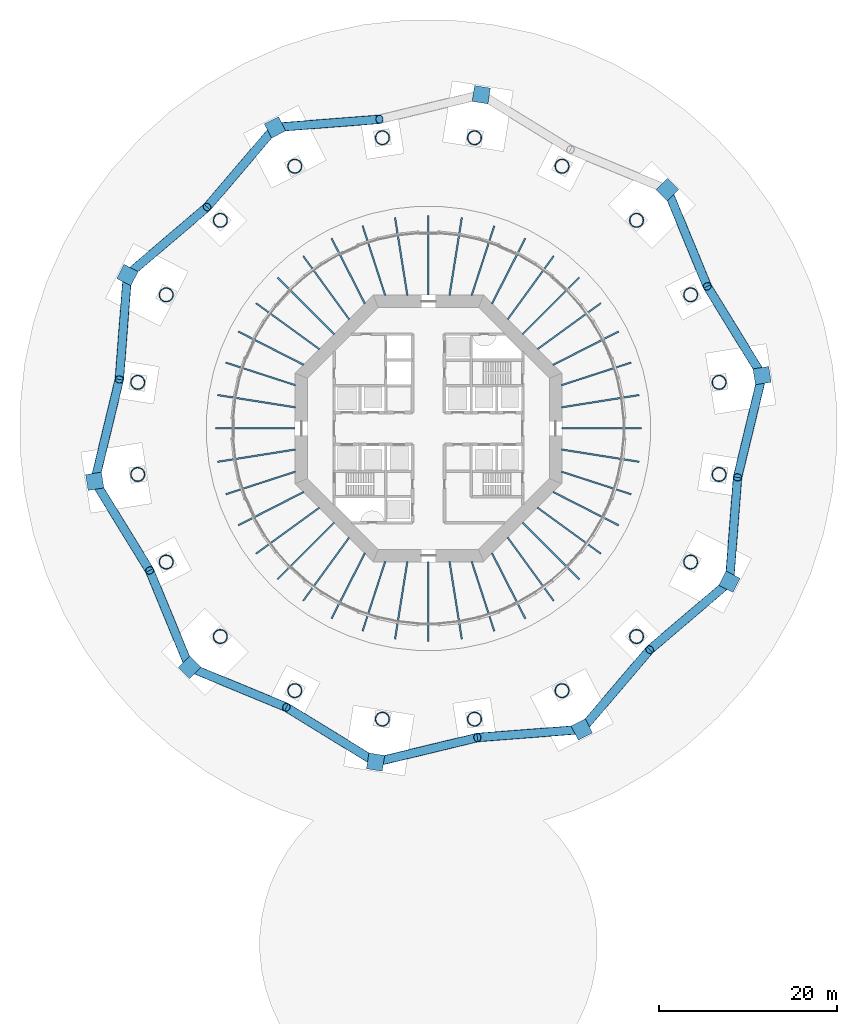
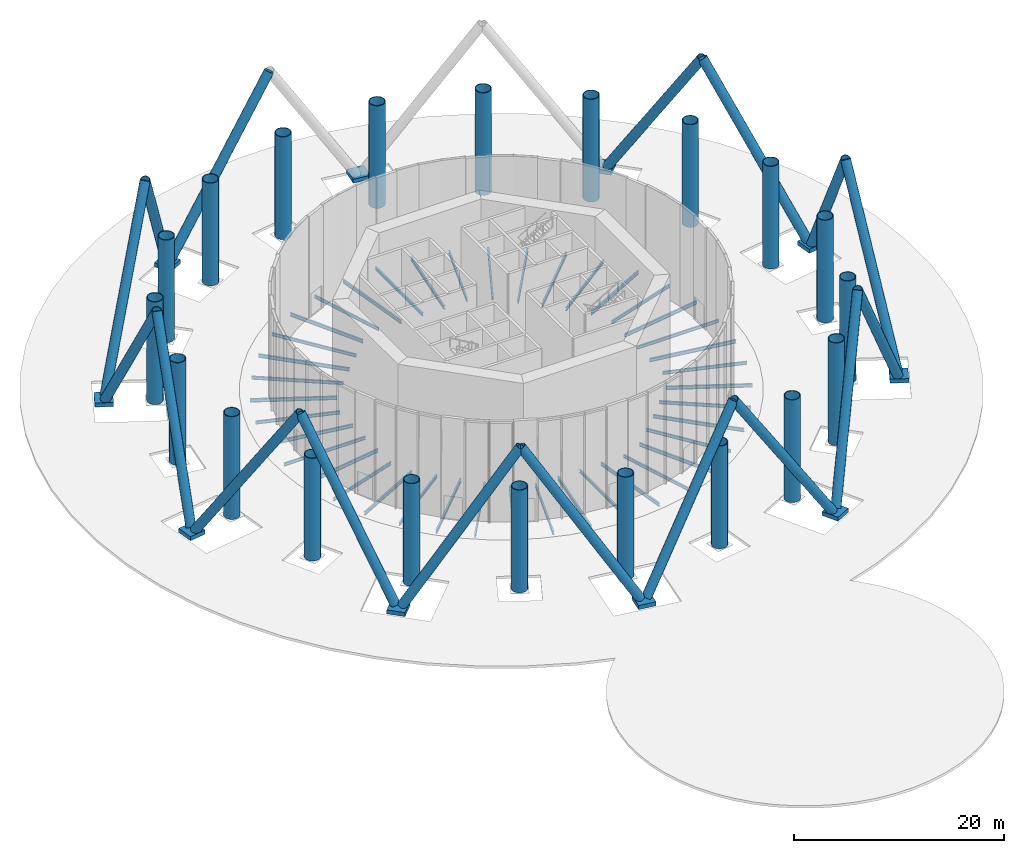
# One storey, part 1 of 12: 40 beams, 30 columns, 17 members.
"""IFC4 building model written with IfcOpenShell, lengths in metres."""

from ifc_helpers import new_model, si_unit, direction, frame, origin, origin_2d, place, context, subcontext, project, spatial, rectangle, circle, hollow_circle, i_section, extrude, material, material_profile, profile_set, type_object, element, save


model = new_model("IFC4")

# Units and contexts
model_context = context("Model", 3, precision=1e-05, world=origin(), true_north=direction((0.0, 1.0)))
body_context = subcontext(model_context, "Body", "Model", "MODEL_VIEW")
ifc_project = project(units=[si_unit("LENGTHUNIT", "METRE"), si_unit("AREAUNIT", "SQUARE_METRE"), si_unit("VOLUMEUNIT", "CUBIC_METRE"), si_unit("PLANEANGLEUNIT", "RADIAN"), si_unit("MASSUNIT", "GRAM", prefix="KILO")], contexts=[model_context])

# Site, building, storey
site_placement = place(None, origin())
site = spatial("IfcSite", under=ifc_project, at=site_placement, CompositionType="ELEMENT")
building_placement = place(site_placement, origin())
building = spatial("IfcBuilding", under=site, at=building_placement, Name="Entoto Ring Tower", CompositionType="ELEMENT")
storey_placement = place(building_placement, origin())
storey = spatial("IfcBuildingStorey", under=building, at=storey_placement, Name="L00", CompositionType="ELEMENT", Elevation=0.0)

# Columns
ifc_material_1 = material(Name="Steel S355", Category="steel")
ifc_material_profile_1 = material_profile(ifc_material_1, hollow_circle(Radius=0.800048828125, WallThickness=0.070068359375, at=origin_2d()), Name="CHS 1600 x 70")
ifc_material_2 = material(Name="Concrete C60/75", Category="concrete")
ifc_material_profile_2 = material_profile(ifc_material_2, circle(Radius=0.72998046875, at=origin_2d()), Name="Concrete C60/75 infill")
ifc_profile_set_1 = profile_set([ifc_material_profile_1, ifc_material_profile_2], Name="Steel S355")
column_type_1 = type_object("IfcColumnType", Name="Ring column 1600 x 70 concrete-filled tube", PredefinedType="COLUMN", material=ifc_profile_set_1)
for number, where, z_axis, x_axis, name in (
    (1, (122.6923828125, 85.177978515625, 0.0400390625), (0.0, 0.0, 1.0), (1.0, 0.0, 0.0), "RC1C R01"),
    (2, (119.492431640625, 95.027099609375, 0.0400390625), (0.0, 0.0, 1.0), (1.0, 0.0, 0.0), "RC1C R02"),
    (3, (113.4052734375, 103.4052734375, 0.0400390625), (0.0, 0.0, 1.0), (1.0, 0.0, 0.0), "RC1C R03"),
    (4, (105.027099609375, 109.492431640625, 0.0400390625), (0.0, 0.0, 1.0), (1.0, 0.0, 0.0), "RC1C R04"),
    (5, (95.177978515625, 112.6923828125, 0.0400390625), (0.0, 0.0, 1.0), (1.0, 0.0, 0.0), "RC1C R05"),
    (6, (84.822021484375, 112.6923828125, 0.0400390625), (0.0, 0.0, 1.0), (1.0, 0.0, 0.0), "RC1C R06"),
    (7, (74.972900390625, 109.492431640625, 0.0400390625), (0.0, 0.0, 1.0), (1.0, 0.0, 0.0), "RC1C R07"),
    (8, (66.5947265625, 103.4052734375, 0.0400390625), (0.0, 0.0, 1.0), (1.0, 0.0, 0.0), "RC1C R08"),
    (9, (60.507568359375, 95.027099609375, 0.0400390625), (0.0, 0.0, 1.0), (1.0, 0.0, 0.0), "RC1C R09"),
    (10, (57.3076171875, 85.177978515625, 0.0400390625), (0.0, 0.0, 1.0), (1.0, 0.0, 0.0), "RC1C R10"),
    (11, (57.3076171875, 74.822021484375, 0.0400390625), (0.0, 0.0, 1.0), (1.0, 0.0, 0.0), "RC1C R11"),
    (12, (60.507568359375, 64.972900390625, 0.0400390625), (0.0, 0.0, 1.0), (1.0, 0.0, 0.0), "RC1C R12"),
    (13, (66.5947265625, 56.5947265625, 0.0400390625), (0.0, 0.0, 1.0), (1.0, 0.0, 0.0), "RC1C R13"),
    (14, (74.972900390625, 50.507568359375, 0.0400390625), (0.0, 0.0, 1.0), (1.0, 0.0, 0.0), "RC1C R14"),
    (15, (84.822021484375, 47.3076171875, 0.0400390625), (0.0, 0.0, 1.0), (1.0, 0.0, 0.0), "RC1C R15"),
    (16, (95.177978515625, 47.3076171875, 0.0400390625), (0.0, 0.0, 1.0), (1.0, 0.0, 0.0), "RC1C R16"),
    (17, (105.027099609375, 50.507568359375, 0.0400390625), (0.0, 0.0, 1.0), (1.0, 0.0, 0.0), "RC1C R17"),
    (18, (113.4052734375, 56.5947265625, 0.0400390625), (0.0, 0.0, 1.0), (1.0, 0.0, 0.0), "RC1C R18"),
    (19, (119.492431640625, 64.972900390625, 0.0400390625), (0.0, 0.0, 1.0), (1.0, 0.0, 0.0), "RC1C R19"),
    (20, (122.6923828125, 74.822021484375, 0.0400390625), (0.0, 0.0, 1.0), (1.0, 0.0, 0.0), "RC1C R20"),
):
    element("IfcColumn", number, at=place(storey_placement, frame(where, z_axis=z_axis, x_axis=x_axis)), inside=storey, type_object=column_type_1, Name=name, PredefinedType="COLUMN", context=body_context, shape_type="SweptSolid", body=[
        extrude(hollow_circle(Radius=0.800048828125, WallThickness=0.070068359375, at=origin_2d()), origin(), (0.0, 0.0, 1.0), 11.9599609375),
    ])
ifc_material_3 = material(Name="Concrete C40/50", Category="concrete")
ifc_material_profile_3 = material_profile(ifc_material_3, rectangle(XDim=1.800048828125, YDim=1.800048828125, at=origin_2d()), Name="Stilt plinth 1800 x 1800 mm concrete")
ifc_profile_set_2 = profile_set([ifc_material_profile_3], Name="Concrete C40/50")
column_type_2 = type_object("IfcColumnType", Name="Stilt plinth 1800 x 1800 mm concrete", PredefinedType="COLUMN", material=ifc_profile_set_2)
for number, where, z_axis, x_axis, name in (
    (21, (127.5322265625, 85.944580078125, 0.0400390625), (0.0, 0.0, 1.0), (-0.15643446504, 0.987688340595, 0.0), "STILT PLINTH 01"),
    (22, (116.8701171875, 106.8701171875, 0.0400390625), (0.0, 0.0, 1.0), (-0.707106781187, 0.707106781187, 0.0), "STILT PLINTH 02"),
    (23, (95.944580078125, 117.5322265625, 0.0400390625), (0.0, 0.0, 1.0), (-0.987688340595, 0.15643446504, 0.0), "STILT PLINTH 03"),
    (24, (72.748291015625, 113.858154296875, 0.0400390625), (0.0, 0.0, 1.0), (-0.891006524188, -0.45399049974, 0.0), "STILT PLINTH 04"),
    (25, (56.141845703125, 97.251708984375, 0.0400390625), (0.0, 0.0, 1.0), (-0.45399049974, -0.891006524188, 0.0), "STILT PLINTH 05"),
    (26, (52.4677734375, 74.055419921875, 0.0400390625), (0.0, 0.0, 1.0), (0.15643446504, -0.987688340595, 0.0), "STILT PLINTH 06"),
    (27, (63.1298828125, 53.1298828125, 0.0400390625), (0.0, 0.0, 1.0), (0.707106781187, -0.707106781187, 0.0), "STILT PLINTH 07"),
    (28, (84.055419921875, 42.4677734375, 0.0400390625), (0.0, 0.0, 1.0), (0.987688340595, -0.15643446504, 0.0), "STILT PLINTH 08"),
    (29, (107.251708984375, 46.141845703125, 0.0400390625), (0.0, 0.0, 1.0), (0.891006524188, 0.45399049974, 0.0), "STILT PLINTH 09"),
    (30, (123.858154296875, 62.748291015625, 0.0400390625), (0.0, 0.0, 1.0), (0.45399049974, 0.891006524188, 0.0), "STILT PLINTH 10"),
):
    element("IfcColumn", number, at=place(storey_placement, frame(where, z_axis=z_axis, x_axis=x_axis)), inside=storey, type_object=column_type_2, Name=name, PredefinedType="COLUMN", context=body_context, shape_type="SweptSolid", body=[
        extrude(rectangle(XDim=1.800048828125, YDim=1.800048828125, at=origin_2d()), origin(), (0.0, 0.0, 1.0), 0.4599609375),
    ])

# Beams
ifc_material_4 = material(Name="Steel S355", Category="steel")
ifc_material_profile_4 = material_profile(ifc_material_4, i_section(OverallWidth=0.179931640625, OverallDepth=0.39990234375, WebThickness=0.008544921875, FlangeThickness=0.013427734375, FilletRadius=0.02099609375, at=origin_2d()), Name="IPE 400")
ifc_profile_set_3 = profile_set([ifc_material_profile_4], Name="Steel S355")
beam_type_1 = type_object("IfcBeamType", Name="Primary floor beam IPE 400", PredefinedType="BEAM", material=ifc_profile_set_3)
beam_1_placement = place(storey_placement, frame((104.966064453125, 82.370361328125, -0.35009765625), z_axis=(0.987688571989, 0.156433004068, 0.0), x_axis=(-0.156433004068, 0.987688571989, 0.0)))
element("IfcBeam", 31, at=beam_1_placement, inside=storey, type_object=beam_type_1, Name="Primary L00 R01", PredefinedType="BEAM", context=body_context, shape_type="SweptSolid", body=[
    extrude(i_section(OverallWidth=0.179931640625, OverallDepth=0.39990234375, WebThickness=0.008544921875, FlangeThickness=0.013427734375, FilletRadius=0.02099609375, at=origin_2d()), origin(), (0.0, 0.0, 1.0), 8.847412109375),
])
beam_2_placement = place(storey_placement, frame((104.009033203125, 87.137939453125, -0.35009765625), z_axis=(0.891009558245, 0.45398454502, 0.0), x_axis=(-0.45398454502, 0.891009558245, 0.0)))
element("IfcBeam", 32, at=beam_2_placement, inside=storey, type_object=beam_type_1, Name="Primary L00 R02", PredefinedType="BEAM", context=body_context, shape_type="SweptSolid", body=[
    extrude(i_section(OverallWidth=0.179931640625, OverallDepth=0.39990234375, WebThickness=0.008544921875, FlangeThickness=0.013427734375, FilletRadius=0.02099609375, at=origin_2d()), origin(), (0.0, 0.0, 1.0), 8.27734375),
])
beam_3_placement = place(storey_placement, frame((100.592529296875, 90.592529296875, -0.35009765625), z_axis=(0.707106781187, 0.707106781187, 0.0), x_axis=(-0.707106781187, 0.707106781187, 0.0)))
element("IfcBeam", 33, at=beam_3_placement, inside=storey, type_object=beam_type_1, Name="Primary L00 R03", PredefinedType="BEAM", context=body_context, shape_type="SweptSolid", body=[
    extrude(i_section(OverallWidth=0.179931640625, OverallDepth=0.39990234375, WebThickness=0.008544921875, FlangeThickness=0.013427734375, FilletRadius=0.02099609375, at=origin_2d()), origin(), (0.0, 0.0, 1.0), 9.019775390625),
])
beam_4_placement = place(storey_placement, frame((97.137939453125, 94.009033203125, -0.35009765625), z_axis=(0.45398454502, 0.891009558245, 0.0), x_axis=(-0.891009558245, 0.45398454502, 0.0)))
element("IfcBeam", 34, at=beam_4_placement, inside=storey, type_object=beam_type_1, Name="Primary L00 R04", PredefinedType="BEAM", context=body_context, shape_type="SweptSolid", body=[
    extrude(i_section(OverallWidth=0.179931640625, OverallDepth=0.39990234375, WebThickness=0.008544921875, FlangeThickness=0.013427734375, FilletRadius=0.02099609375, at=origin_2d()), origin(), (0.0, 0.0, 1.0), 8.27734375),
])
for number, where, z_axis, x_axis, name in (
    (35, (92.370361328125, 94.966064453125, -0.35009765625), (0.156433004068, 0.987688571989, 0.0), (-0.987688571989, 0.156433004068, 0.0), "Primary L00 R05"),
    (36, (87.629638671875, 94.966064453125, -0.35009765625), (-0.156433004068, 0.987688571989, 0.0), (-0.987688571989, -0.156433004068, 0.0), "Primary L00 R06"),
):
    element("IfcBeam", number, at=place(storey_placement, frame(where, z_axis=z_axis, x_axis=x_axis)), inside=storey, type_object=beam_type_1, Name=name, PredefinedType="BEAM", context=body_context, shape_type="SweptSolid", body=[
        extrude(i_section(OverallWidth=0.179931640625, OverallDepth=0.39990234375, WebThickness=0.008544921875, FlangeThickness=0.013427734375, FilletRadius=0.02099609375, at=origin_2d()), origin(), (0.0, 0.0, 1.0), 8.847412109375),
    ])
beam_5_placement = place(storey_placement, frame((82.862060546875, 94.009033203125, -0.35009765625), z_axis=(-0.45398454502, 0.891009558245, 0.0), x_axis=(-0.891009558245, -0.45398454502, 0.0)))
element("IfcBeam", 37, at=beam_5_placement, inside=storey, type_object=beam_type_1, Name="Primary L00 R07", PredefinedType="BEAM", context=body_context, shape_type="SweptSolid", body=[
    extrude(i_section(OverallWidth=0.179931640625, OverallDepth=0.39990234375, WebThickness=0.008544921875, FlangeThickness=0.013427734375, FilletRadius=0.02099609375, at=origin_2d()), origin(), (0.0, 0.0, 1.0), 8.27734375),
])
beam_6_placement = place(storey_placement, frame((79.407470703125, 90.592529296875, -0.35009765625), z_axis=(-0.707106781187, 0.707106781187, 0.0), x_axis=(-0.707106781187, -0.707106781187, 0.0)))
element("IfcBeam", 38, at=beam_6_placement, inside=storey, type_object=beam_type_1, Name="Primary L00 R08", PredefinedType="BEAM", context=body_context, shape_type="SweptSolid", body=[
    extrude(i_section(OverallWidth=0.179931640625, OverallDepth=0.39990234375, WebThickness=0.008544921875, FlangeThickness=0.013427734375, FilletRadius=0.02099609375, at=origin_2d()), origin(), (0.0, 0.0, 1.0), 9.019775390625),
])
beam_7_placement = place(storey_placement, frame((75.990966796875, 87.137939453125, -0.35009765625), z_axis=(-0.891009558245, 0.45398454502, 0.0), x_axis=(-0.45398454502, -0.891009558245, 0.0)))
element("IfcBeam", 39, at=beam_7_placement, inside=storey, type_object=beam_type_1, Name="Primary L00 R09", PredefinedType="BEAM", context=body_context, shape_type="SweptSolid", body=[
    extrude(i_section(OverallWidth=0.179931640625, OverallDepth=0.39990234375, WebThickness=0.008544921875, FlangeThickness=0.013427734375, FilletRadius=0.02099609375, at=origin_2d()), origin(), (0.0, 0.0, 1.0), 8.27734375),
])
for number, where, z_axis, x_axis, name in (
    (40, (75.033935546875, 82.370361328125, -0.35009765625), (-0.987688571989, 0.156433004068, 0.0), (-0.156433004068, -0.987688571989, 0.0), "Primary L00 R10"),
    (41, (75.033935546875, 77.629638671875, -0.35009765625), (-0.987688571989, -0.156433004068, 0.0), (0.156433004068, -0.987688571989, 0.0), "Primary L00 R11"),
):
    element("IfcBeam", number, at=place(storey_placement, frame(where, z_axis=z_axis, x_axis=x_axis)), inside=storey, type_object=beam_type_1, Name=name, PredefinedType="BEAM", context=body_context, shape_type="SweptSolid", body=[
        extrude(i_section(OverallWidth=0.179931640625, OverallDepth=0.39990234375, WebThickness=0.008544921875, FlangeThickness=0.013427734375, FilletRadius=0.02099609375, at=origin_2d()), origin(), (0.0, 0.0, 1.0), 8.847412109375),
    ])
beam_8_placement = place(storey_placement, frame((75.990966796875, 72.862060546875, -0.35009765625), z_axis=(-0.891009558245, -0.45398454502, 0.0), x_axis=(0.45398454502, -0.891009558245, 0.0)))
element("IfcBeam", 42, at=beam_8_placement, inside=storey, type_object=beam_type_1, Name="Primary L00 R12", PredefinedType="BEAM", context=body_context, shape_type="SweptSolid", body=[
    extrude(i_section(OverallWidth=0.179931640625, OverallDepth=0.39990234375, WebThickness=0.008544921875, FlangeThickness=0.013427734375, FilletRadius=0.02099609375, at=origin_2d()), origin(), (0.0, 0.0, 1.0), 8.27734375),
])
beam_9_placement = place(storey_placement, frame((79.407470703125, 69.407470703125, -0.35009765625), z_axis=(-0.707106781187, -0.707106781187, 0.0), x_axis=(0.707106781187, -0.707106781187, 0.0)))
element("IfcBeam", 43, at=beam_9_placement, inside=storey, type_object=beam_type_1, Name="Primary L00 R13", PredefinedType="BEAM", context=body_context, shape_type="SweptSolid", body=[
    extrude(i_section(OverallWidth=0.179931640625, OverallDepth=0.39990234375, WebThickness=0.008544921875, FlangeThickness=0.013427734375, FilletRadius=0.02099609375, at=origin_2d()), origin(), (0.0, 0.0, 1.0), 9.019775390625),
])
beam_10_placement = place(storey_placement, frame((82.862060546875, 65.990966796875, -0.35009765625), z_axis=(-0.45398454502, -0.891009558245, 0.0), x_axis=(0.891009558245, -0.45398454502, 0.0)))
element("IfcBeam", 44, at=beam_10_placement, inside=storey, type_object=beam_type_1, Name="Primary L00 R14", PredefinedType="BEAM", context=body_context, shape_type="SweptSolid", body=[
    extrude(i_section(OverallWidth=0.179931640625, OverallDepth=0.39990234375, WebThickness=0.008544921875, FlangeThickness=0.013427734375, FilletRadius=0.02099609375, at=origin_2d()), origin(), (0.0, 0.0, 1.0), 8.27734375),
])
for number, where, z_axis, x_axis, name in (
    (45, (87.629638671875, 65.033935546875, -0.35009765625), (-0.156433004068, -0.987688571989, 0.0), (0.987688571989, -0.156433004068, 0.0), "Primary L00 R15"),
    (46, (92.370361328125, 65.033935546875, -0.35009765625), (0.156433004068, -0.987688571989, 0.0), (0.987688571989, 0.156433004068, 0.0), "Primary L00 R16"),
):
    element("IfcBeam", number, at=place(storey_placement, frame(where, z_axis=z_axis, x_axis=x_axis)), inside=storey, type_object=beam_type_1, Name=name, PredefinedType="BEAM", context=body_context, shape_type="SweptSolid", body=[
        extrude(i_section(OverallWidth=0.179931640625, OverallDepth=0.39990234375, WebThickness=0.008544921875, FlangeThickness=0.013427734375, FilletRadius=0.02099609375, at=origin_2d()), origin(), (0.0, 0.0, 1.0), 8.847412109375),
    ])
beam_11_placement = place(storey_placement, frame((97.137939453125, 65.990966796875, -0.35009765625), z_axis=(0.45398454502, -0.891009558245, 0.0), x_axis=(0.891009558245, 0.45398454502, 0.0)))
element("IfcBeam", 47, at=beam_11_placement, inside=storey, type_object=beam_type_1, Name="Primary L00 R17", PredefinedType="BEAM", context=body_context, shape_type="SweptSolid", body=[
    extrude(i_section(OverallWidth=0.179931640625, OverallDepth=0.39990234375, WebThickness=0.008544921875, FlangeThickness=0.013427734375, FilletRadius=0.02099609375, at=origin_2d()), origin(), (0.0, 0.0, 1.0), 8.27734375),
])
beam_12_placement = place(storey_placement, frame((100.592529296875, 69.407470703125, -0.35009765625), z_axis=(0.707106781187, -0.707106781187, 0.0), x_axis=(0.707106781187, 0.707106781187, 0.0)))
element("IfcBeam", 48, at=beam_12_placement, inside=storey, type_object=beam_type_1, Name="Primary L00 R18", PredefinedType="BEAM", context=body_context, shape_type="SweptSolid", body=[
    extrude(i_section(OverallWidth=0.179931640625, OverallDepth=0.39990234375, WebThickness=0.008544921875, FlangeThickness=0.013427734375, FilletRadius=0.02099609375, at=origin_2d()), origin(), (0.0, 0.0, 1.0), 9.019775390625),
])
beam_13_placement = place(storey_placement, frame((104.009033203125, 72.862060546875, -0.35009765625), z_axis=(0.891009558245, -0.45398454502, 0.0), x_axis=(0.45398454502, 0.891009558245, 0.0)))
element("IfcBeam", 49, at=beam_13_placement, inside=storey, type_object=beam_type_1, Name="Primary L00 R19", PredefinedType="BEAM", context=body_context, shape_type="SweptSolid", body=[
    extrude(i_section(OverallWidth=0.179931640625, OverallDepth=0.39990234375, WebThickness=0.008544921875, FlangeThickness=0.013427734375, FilletRadius=0.02099609375, at=origin_2d()), origin(), (0.0, 0.0, 1.0), 8.27734375),
])
beam_14_placement = place(storey_placement, frame((104.966064453125, 77.629638671875, -0.35009765625), z_axis=(0.987688571989, -0.156433004068, 0.0), x_axis=(0.156433004068, 0.987688571989, 0.0)))
element("IfcBeam", 50, at=beam_14_placement, inside=storey, type_object=beam_type_1, Name="Primary L00 R20", PredefinedType="BEAM", context=body_context, shape_type="SweptSolid", body=[
    extrude(i_section(OverallWidth=0.179931640625, OverallDepth=0.39990234375, WebThickness=0.008544921875, FlangeThickness=0.013427734375, FilletRadius=0.02099609375, at=origin_2d()), origin(), (0.0, 0.0, 1.0), 8.847412109375),
])
ifc_material_5 = material(Name="Steel S355", Category="steel")
ifc_material_profile_5 = material_profile(ifc_material_5, i_section(OverallWidth=0.169921875, OverallDepth=0.360107421875, WebThickness=0.008056640625, FlangeThickness=0.0126953125, FilletRadius=0.01806640625, at=origin_2d()), Name="IPE 360")
ifc_profile_set_4 = profile_set([ifc_material_profile_5], Name="Steel S355")
beam_type_2 = type_object("IfcBeamType", Name="Secondary floor beam IPE 360", PredefinedType="JOIST", material=ifc_profile_set_4)
beam_15_placement = place(storey_placement, frame((104.954833984375, 84.859130859375, -0.330078125), z_axis=(0.951058008676, 0.309012401262, 0.0), x_axis=(-0.309012401262, 0.951058008676, 0.0)))
element("IfcBeam", 51, at=beam_15_placement, inside=storey, type_object=beam_type_2, Name="Secondary beam L00 01", PredefinedType="JOIST", context=body_context, shape_type="SweptSolid", body=[
    extrude(i_section(OverallWidth=0.169921875, OverallDepth=0.360107421875, WebThickness=0.008056640625, FlangeThickness=0.0126953125, FilletRadius=0.01806640625, at=origin_2d()), origin(), (0.0, 0.0, 1.0), 8.24267578125),
])
for number, where, z_axis, x_axis, name in (
    (52, (102.259521484375, 88.906982421875, -0.330078125), (0.809022277433, 0.587777980718, 0.0), (-0.587777980718, 0.809022277433, 0.0), "Secondary beam L00 02"),
    (53, (98.906982421875, 92.259521484375, -0.330078125), (0.587777980718, 0.809022277433, 0.0), (-0.809022277433, 0.587777980718, 0.0), "Secondary beam L00 03"),
):
    element("IfcBeam", number, at=place(storey_placement, frame(where, z_axis=z_axis, x_axis=x_axis)), inside=storey, type_object=beam_type_2, Name=name, PredefinedType="JOIST", context=body_context, shape_type="SweptSolid", body=[
        extrude(i_section(OverallWidth=0.169921875, OverallDepth=0.360107421875, WebThickness=0.008056640625, FlangeThickness=0.0126953125, FilletRadius=0.01806640625, at=origin_2d()), origin(), (0.0, 0.0, 1.0), 8.8134765625),
    ])
beam_16_placement = place(storey_placement, frame((94.859130859375, 94.954833984375, -0.330078125), z_axis=(0.309012401262, 0.951058008676, 0.0), x_axis=(-0.951058008676, 0.309012401262, 0.0)))
element("IfcBeam", 54, at=beam_16_placement, inside=storey, type_object=beam_type_2, Name="Secondary beam L00 04", PredefinedType="JOIST", context=body_context, shape_type="SweptSolid", body=[
    extrude(i_section(OverallWidth=0.169921875, OverallDepth=0.360107421875, WebThickness=0.008056640625, FlangeThickness=0.0126953125, FilletRadius=0.01806640625, at=origin_2d()), origin(), (0.0, 0.0, 1.0), 8.24267578125),
])
beam_17_placement = place(storey_placement, frame((90.0, 94.97998046875, -0.330078125), z_axis=(0.0, 1.0, 0.0), x_axis=(-1.0, 0.0, 0.0)))
element("IfcBeam", 55, at=beam_17_placement, inside=storey, type_object=beam_type_2, Name="Secondary beam L00 05", PredefinedType="JOIST", context=body_context, shape_type="SweptSolid", body=[
    extrude(i_section(OverallWidth=0.169921875, OverallDepth=0.360107421875, WebThickness=0.008056640625, FlangeThickness=0.0126953125, FilletRadius=0.01806640625, at=origin_2d()), origin(), (0.0, 0.0, 1.0), 8.987060546875),
])
beam_18_placement = place(storey_placement, frame((85.140869140625, 94.954833984375, -0.330078125), z_axis=(-0.309012401262, 0.951058008676, 0.0), x_axis=(-0.951058008676, -0.309012401262, 0.0)))
element("IfcBeam", 56, at=beam_18_placement, inside=storey, type_object=beam_type_2, Name="Secondary beam L00 06", PredefinedType="JOIST", context=body_context, shape_type="SweptSolid", body=[
    extrude(i_section(OverallWidth=0.169921875, OverallDepth=0.360107421875, WebThickness=0.008056640625, FlangeThickness=0.0126953125, FilletRadius=0.01806640625, at=origin_2d()), origin(), (0.0, 0.0, 1.0), 8.24267578125),
])
for number, where, z_axis, x_axis, name in (
    (57, (81.093017578125, 92.259521484375, -0.330078125), (-0.587777980718, 0.809022277433, 0.0), (-0.809022277433, -0.587777980718, 0.0), "Secondary beam L00 07"),
    (58, (77.740478515625, 88.906982421875, -0.330078125), (-0.809022277433, 0.587777980718, 0.0), (-0.587777980718, -0.809022277433, 0.0), "Secondary beam L00 08"),
):
    element("IfcBeam", number, at=place(storey_placement, frame(where, z_axis=z_axis, x_axis=x_axis)), inside=storey, type_object=beam_type_2, Name=name, PredefinedType="JOIST", context=body_context, shape_type="SweptSolid", body=[
        extrude(i_section(OverallWidth=0.169921875, OverallDepth=0.360107421875, WebThickness=0.008056640625, FlangeThickness=0.0126953125, FilletRadius=0.01806640625, at=origin_2d()), origin(), (0.0, 0.0, 1.0), 8.8134765625),
    ])
beam_19_placement = place(storey_placement, frame((75.045166015625, 84.859130859375, -0.330078125), z_axis=(-0.951058008676, 0.309012401262, 0.0), x_axis=(-0.309012401262, -0.951058008676, 0.0)))
element("IfcBeam", 59, at=beam_19_placement, inside=storey, type_object=beam_type_2, Name="Secondary beam L00 09", PredefinedType="JOIST", context=body_context, shape_type="SweptSolid", body=[
    extrude(i_section(OverallWidth=0.169921875, OverallDepth=0.360107421875, WebThickness=0.008056640625, FlangeThickness=0.0126953125, FilletRadius=0.01806640625, at=origin_2d()), origin(), (0.0, 0.0, 1.0), 8.24267578125),
])
beam_20_placement = place(storey_placement, frame((75.02001953125, 80.0, -0.330078125), z_axis=(-1.0, 0.0, 0.0), x_axis=(0.0, -1.0, 0.0)))
element("IfcBeam", 60, at=beam_20_placement, inside=storey, type_object=beam_type_2, Name="Secondary beam L00 10", PredefinedType="JOIST", context=body_context, shape_type="SweptSolid", body=[
    extrude(i_section(OverallWidth=0.169921875, OverallDepth=0.360107421875, WebThickness=0.008056640625, FlangeThickness=0.0126953125, FilletRadius=0.01806640625, at=origin_2d()), origin(), (0.0, 0.0, 1.0), 8.987060546875),
])
beam_21_placement = place(storey_placement, frame((75.045166015625, 75.140869140625, -0.330078125), z_axis=(-0.951058008676, -0.309012401262, 0.0), x_axis=(0.309012401262, -0.951058008676, 0.0)))
element("IfcBeam", 61, at=beam_21_placement, inside=storey, type_object=beam_type_2, Name="Secondary beam L00 11", PredefinedType="JOIST", context=body_context, shape_type="SweptSolid", body=[
    extrude(i_section(OverallWidth=0.169921875, OverallDepth=0.360107421875, WebThickness=0.008056640625, FlangeThickness=0.0126953125, FilletRadius=0.01806640625, at=origin_2d()), origin(), (0.0, 0.0, 1.0), 8.24267578125),
])
for number, where, z_axis, x_axis, name in (
    (62, (77.740478515625, 71.093017578125, -0.330078125), (-0.809022277433, -0.587777980718, 0.0), (0.587777980718, -0.809022277433, 0.0), "Secondary beam L00 12"),
    (63, (81.093017578125, 67.740478515625, -0.330078125), (-0.587777980718, -0.809022277433, 0.0), (0.809022277433, -0.587777980718, 0.0), "Secondary beam L00 13"),
):
    element("IfcBeam", number, at=place(storey_placement, frame(where, z_axis=z_axis, x_axis=x_axis)), inside=storey, type_object=beam_type_2, Name=name, PredefinedType="JOIST", context=body_context, shape_type="SweptSolid", body=[
        extrude(i_section(OverallWidth=0.169921875, OverallDepth=0.360107421875, WebThickness=0.008056640625, FlangeThickness=0.0126953125, FilletRadius=0.01806640625, at=origin_2d()), origin(), (0.0, 0.0, 1.0), 8.8134765625),
    ])
beam_22_placement = place(storey_placement, frame((85.140869140625, 65.045166015625, -0.330078125), z_axis=(-0.309012401262, -0.951058008676, 0.0), x_axis=(0.951058008676, -0.309012401262, 0.0)))
element("IfcBeam", 64, at=beam_22_placement, inside=storey, type_object=beam_type_2, Name="Secondary beam L00 14", PredefinedType="JOIST", context=body_context, shape_type="SweptSolid", body=[
    extrude(i_section(OverallWidth=0.169921875, OverallDepth=0.360107421875, WebThickness=0.008056640625, FlangeThickness=0.0126953125, FilletRadius=0.01806640625, at=origin_2d()), origin(), (0.0, 0.0, 1.0), 8.24267578125),
])
beam_23_placement = place(storey_placement, frame((90.0, 65.02001953125, -0.330078125), z_axis=(0.0, -1.0, 0.0), x_axis=(1.0, 0.0, 0.0)))
element("IfcBeam", 65, at=beam_23_placement, inside=storey, type_object=beam_type_2, Name="Secondary beam L00 15", PredefinedType="JOIST", context=body_context, shape_type="SweptSolid", body=[
    extrude(i_section(OverallWidth=0.169921875, OverallDepth=0.360107421875, WebThickness=0.008056640625, FlangeThickness=0.0126953125, FilletRadius=0.01806640625, at=origin_2d()), origin(), (0.0, 0.0, 1.0), 8.987060546875),
])
beam_24_placement = place(storey_placement, frame((94.859130859375, 65.045166015625, -0.330078125), z_axis=(0.309012401262, -0.951058008676, 0.0), x_axis=(0.951058008676, 0.309012401262, 0.0)))
element("IfcBeam", 66, at=beam_24_placement, inside=storey, type_object=beam_type_2, Name="Secondary beam L00 16", PredefinedType="JOIST", context=body_context, shape_type="SweptSolid", body=[
    extrude(i_section(OverallWidth=0.169921875, OverallDepth=0.360107421875, WebThickness=0.008056640625, FlangeThickness=0.0126953125, FilletRadius=0.01806640625, at=origin_2d()), origin(), (0.0, 0.0, 1.0), 8.24267578125),
])
for number, where, z_axis, x_axis, name in (
    (67, (98.906982421875, 67.740478515625, -0.330078125), (0.587777980718, -0.809022277433, 0.0), (0.809022277433, 0.587777980718, 0.0), "Secondary beam L00 17"),
    (68, (102.259521484375, 71.093017578125, -0.330078125), (0.809022277433, -0.587777980718, 0.0), (0.587777980718, 0.809022277433, 0.0), "Secondary beam L00 18"),
):
    element("IfcBeam", number, at=place(storey_placement, frame(where, z_axis=z_axis, x_axis=x_axis)), inside=storey, type_object=beam_type_2, Name=name, PredefinedType="JOIST", context=body_context, shape_type="SweptSolid", body=[
        extrude(i_section(OverallWidth=0.169921875, OverallDepth=0.360107421875, WebThickness=0.008056640625, FlangeThickness=0.0126953125, FilletRadius=0.01806640625, at=origin_2d()), origin(), (0.0, 0.0, 1.0), 8.8134765625),
    ])
beam_25_placement = place(storey_placement, frame((104.954833984375, 75.140869140625, -0.330078125), z_axis=(0.951058008676, -0.309012401262, 0.0), x_axis=(0.309012401262, 0.951058008676, 0.0)))
element("IfcBeam", 69, at=beam_25_placement, inside=storey, type_object=beam_type_2, Name="Secondary beam L00 19", PredefinedType="JOIST", context=body_context, shape_type="SweptSolid", body=[
    extrude(i_section(OverallWidth=0.169921875, OverallDepth=0.360107421875, WebThickness=0.008056640625, FlangeThickness=0.0126953125, FilletRadius=0.01806640625, at=origin_2d()), origin(), (0.0, 0.0, 1.0), 8.24267578125),
])
beam_26_placement = place(storey_placement, frame((104.97998046875, 80.0, -0.330078125), z_axis=(1.0, 0.0, 0.0), x_axis=(0.0, 1.0, 0.0)))
element("IfcBeam", 70, at=beam_26_placement, inside=storey, type_object=beam_type_2, Name="Secondary beam L00 20", PredefinedType="JOIST", context=body_context, shape_type="SweptSolid", body=[
    extrude(i_section(OverallWidth=0.169921875, OverallDepth=0.360107421875, WebThickness=0.008056640625, FlangeThickness=0.0126953125, FilletRadius=0.01806640625, at=origin_2d()), origin(), (0.0, 0.0, 1.0), 8.987060546875),
])

# Members
ifc_material_6 = material(Name="Steel S355", Category="steel")
ifc_material_profile_6 = material_profile(ifc_material_6, hollow_circle(Radius=0.5, WallThickness=0.050048828125, at=origin_2d()), Name="CHS 1000 x 50")
ifc_material_7 = material(Name="Concrete C60/75", Category="concrete")
ifc_material_profile_7 = material_profile(ifc_material_7, circle(Radius=0.449951171875, at=origin_2d()), Name="Concrete C60/75 infill")
ifc_profile_set_5 = profile_set([ifc_material_profile_6, ifc_material_profile_7], Name="Steel S355")
member_type = type_object("IfcMemberType", Name="Stilt leg brace 1000 x 50 concrete-filled tube", PredefinedType="BRACE", material=ifc_profile_set_5)
member_1_placement = place(storey_placement, frame((127.455322265625, 85.62646484375, 0.5), z_axis=(-0.128556577959, -0.532308046081, 0.836732544091), x_axis=(0.972053699565, -0.23475861041, 0.0)))
element("IfcMember", 71, at=member_1_placement, inside=storey, type_object=member_type, Name="LG module 1 01", PredefinedType="BRACE", context=body_context, shape_type="SweptSolid", body=[
    extrude(hollow_circle(Radius=0.5, WallThickness=0.050048828125, at=origin_2d()), origin(), (0.0, 0.0, 1.0), 20.914794921875),
])
for number, where, z_axis, x_axis, name in (
    (72, (127.36083984375, 86.223388671875, 0.5), (-0.286753218098, 0.466521162683, 0.836738069338), (-0.85193266733, -0.52365134425, 0.0), "LG module 1 02"),
    (73, (116.994873046875, 106.567626953125, 0.5), (0.208879902804, -0.506207498888, 0.836733622053), (0.924393977656, 0.381439083043, 0.0), "LG module 1 03"),
    (74, (73.07470703125, 113.883544921875, 0.5), (0.545970420644, 0.042222210589, 0.836739854862), (-0.077104025668, 0.997023053508, 0.0), "LG module 1 07"),
    (75, (72.5361328125, 113.609130859375, 0.5), (-0.35507592058, -0.416885605618, 0.836736208403), (0.761287268788, -0.648414754907, 0.0), "LG module 1 08"),
    (76, (56.390869140625, 97.4638671875, 0.5), (0.416885605618, 0.35507592058, 0.836736208403), (-0.648414754907, 0.761287268788, 0.0), "LG module 1 09"),
    (77, (56.116455078125, 96.92529296875, 0.5), (-0.042222210589, -0.545970420644, 0.836739854862), (0.997023053508, -0.077104025668, 0.0), "LG module 1 10"),
):
    element("IfcMember", number, at=place(storey_placement, frame(where, z_axis=z_axis, x_axis=x_axis)), inside=storey, type_object=member_type, Name=name, PredefinedType="BRACE", context=body_context, shape_type="SweptSolid", body=[
        extrude(hollow_circle(Radius=0.5, WallThickness=0.050048828125, at=origin_2d()), origin(), (0.0, 0.0, 1.0), 20.91455078125),
    ])
member_2_placement = place(storey_placement, frame((52.544677734375, 74.37353515625, 0.5), z_axis=(0.128556577959, 0.532308046081, 0.836732544091), x_axis=(-0.972053699565, 0.23475861041, 0.0)))
element("IfcMember", 78, at=member_2_placement, inside=storey, type_object=member_type, Name="LG module 1 11", PredefinedType="BRACE", context=body_context, shape_type="SweptSolid", body=[
    extrude(hollow_circle(Radius=0.5, WallThickness=0.050048828125, at=origin_2d()), origin(), (0.0, 0.0, 1.0), 20.914794921875),
])
for number, where, z_axis, x_axis, name in (
    (79, (52.63916015625, 73.776611328125, 0.5), (0.286753218098, -0.466521162683, 0.836738069338), (0.85193266733, 0.52365134425, 0.0), "LG module 1 12"),
    (80, (63.005126953125, 53.432373046875, 0.5), (-0.208879902804, 0.506207498888, 0.836733622053), (-0.924393977656, -0.381439083043, 0.0), "LG module 1 13"),
    (81, (63.432373046875, 53.005126953125, 0.5), (0.506207498888, -0.208879902804, 0.836733622053), (0.381439083043, 0.924393977656, 0.0), "LG module 1 14"),
    (82, (83.776611328125, 42.63916015625, 0.5), (-0.466521162683, 0.286753218098, 0.836738069338), (-0.52365134425, -0.85193266733, 0.0), "LG module 1 15"),
):
    element("IfcMember", number, at=place(storey_placement, frame(where, z_axis=z_axis, x_axis=x_axis)), inside=storey, type_object=member_type, Name=name, PredefinedType="BRACE", context=body_context, shape_type="SweptSolid", body=[
        extrude(hollow_circle(Radius=0.5, WallThickness=0.050048828125, at=origin_2d()), origin(), (0.0, 0.0, 1.0), 20.91455078125),
    ])
member_3_placement = place(storey_placement, frame((84.37353515625, 42.544677734375, 0.5), z_axis=(0.532308046081, 0.128556577959, 0.836732544091), x_axis=(-0.23475861041, 0.972053699565, 0.0)))
element("IfcMember", 83, at=member_3_placement, inside=storey, type_object=member_type, Name="LG module 1 16", PredefinedType="BRACE", context=body_context, shape_type="SweptSolid", body=[
    extrude(hollow_circle(Radius=0.5, WallThickness=0.050048828125, at=origin_2d()), origin(), (0.0, 0.0, 1.0), 20.914794921875),
])
for number, where, z_axis, x_axis, name in (
    (84, (106.92529296875, 46.116455078125, 0.5), (-0.545970420644, -0.042222210589, 0.836739854862), (0.077104025668, -0.997023053508, 0.0), "LG module 1 17"),
    (85, (107.4638671875, 46.390869140625, 0.5), (0.35507592058, 0.416885605618, 0.836736208403), (-0.761287268788, 0.648414754907, 0.0), "LG module 1 18"),
    (86, (123.609130859375, 62.5361328125, 0.5), (-0.416885605618, -0.35507592058, 0.836736208403), (0.648414754907, -0.761287268788, 0.0), "LG module 1 19"),
    (87, (123.883544921875, 63.07470703125, 0.5), (0.042222210589, 0.545970420644, 0.836739854862), (-0.997023053508, 0.077104025668, 0.0), "LG module 1 20"),
):
    element("IfcMember", number, at=place(storey_placement, frame(where, z_axis=z_axis, x_axis=x_axis)), inside=storey, type_object=member_type, Name=name, PredefinedType="BRACE", context=body_context, shape_type="SweptSolid", body=[
        extrude(hollow_circle(Radius=0.5, WallThickness=0.050048828125, at=origin_2d()), origin(), (0.0, 0.0, 1.0), 20.91455078125),
    ])

save(model, "model.ifc")
